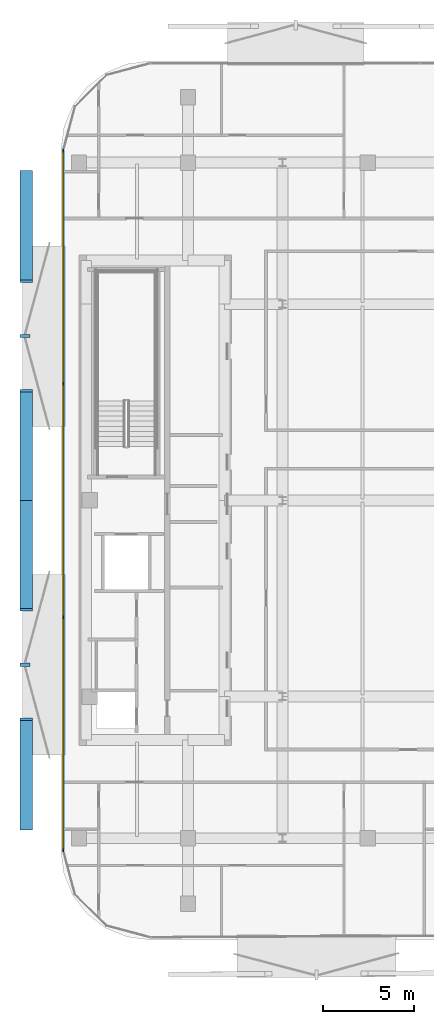
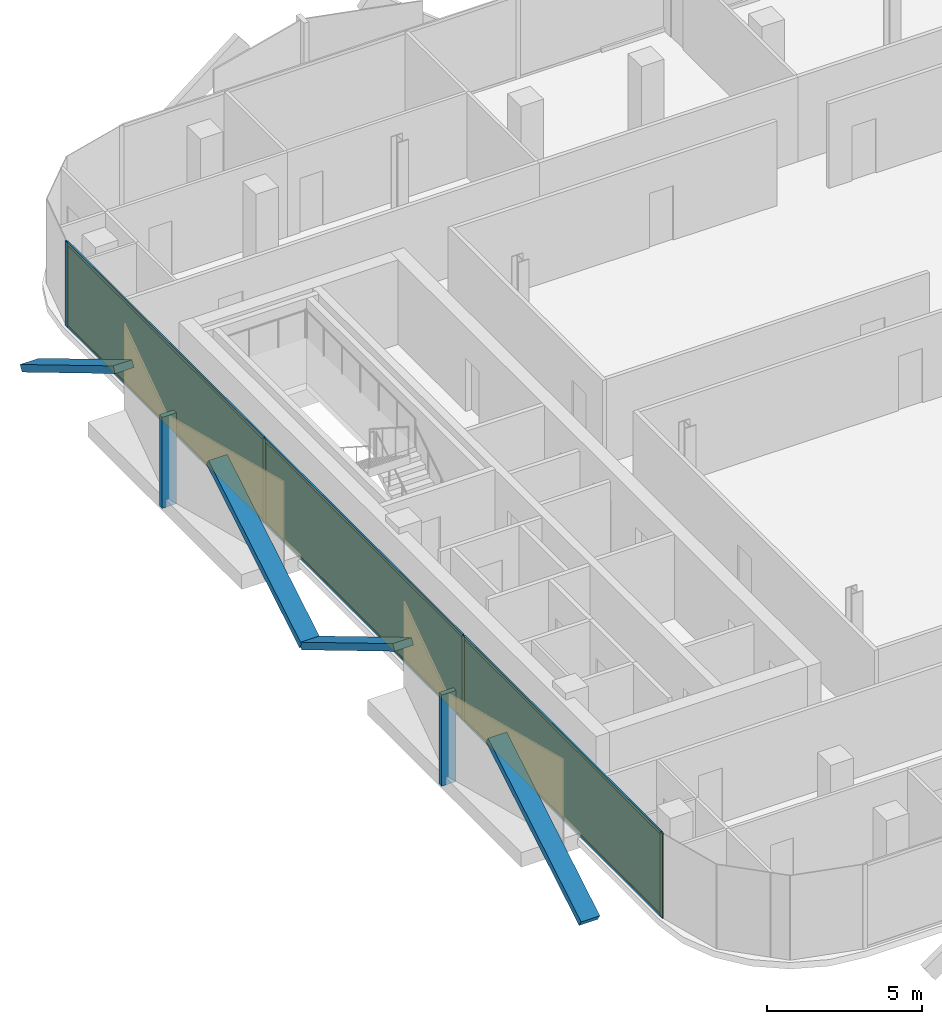
# One storey, part 8 of 15: 16 members, 3 plates, 1 curtain wall.
"""IFC4 building model written with IfcOpenShell, lengths in metres."""

from ifc_helpers import new_model, si_unit, direction, frame, frame_2d, origin, origin_2d, place, context, subcontext, project, spatial, rectangle, extrude, material, layer, layer_set, material_profile, profile_set, type_object, element, aggregate, save


model = new_model("IFC4")

# Units and contexts
model_context = context("Model", 3, precision=1e-05, world=origin(), true_north=direction((0.0, 1.0)))
body_context = subcontext(model_context, "Body", "Model", "MODEL_VIEW")
ifc_project = project(units=[si_unit("LENGTHUNIT", "METRE"), si_unit("AREAUNIT", "SQUARE_METRE"), si_unit("VOLUMEUNIT", "CUBIC_METRE"), si_unit("PLANEANGLEUNIT", "RADIAN"), si_unit("MASSUNIT", "GRAM", prefix="KILO")], contexts=[model_context])

# Member
ifc_material_1 = material(Name="Anodised Bronze Aluminium 6063-T6", Category="aluminium")
ifc_material_profile_1 = material_profile(ifc_material_1, rectangle(XDim=0.260009765625, YDim=0.699951171875, at=origin_2d()))
ifc_profile_set_1 = profile_set([ifc_material_profile_1], Name="Anodised Bronze Aluminium 6063-T6")
member_type_1 = type_object("IfcMemberType", Name="Bronze Diamond Solar-Screen Lattice Rib BDL-700", PredefinedType="MULLION", material=ifc_profile_set_1)
site_placement = place(None, origin())
building_placement = place(site_placement, origin())
storey_placement = place(building_placement, frame((0.0, 0.0, 265.60009765625)))
member_1_placement = place(storey_placement, frame((-23.300048828125, -18.0908203125, -0.130126953125), z_axis=(0.0, 0.858625722363, 0.512603032468), x_axis=(0.0, -0.512603032468, 0.858625722363)))
member_1 = element("IfcMember", 1, at=member_1_placement, type_object=member_type_1, Name="L63 Bronze Diamond Solar Screen Lattice Rib 435A", PredefinedType="MULLION", context=body_context, shape_type="SweptSolid", body=[
    extrude(rectangle(XDim=0.260009765625, YDim=0.699951171875, at=origin_2d()), origin(), (0.0, 0.0, 1.0), 7.023193359375),
])

member_2_placement = place(storey_placement, frame((-23.300048828125, 0.0, -0.130126953125), z_axis=(0.0, -0.858625722363, 0.512603032468), x_axis=(0.0, 0.512603032468, 0.858625722363)))
member_2 = element("IfcMember", 2, at=member_2_placement, type_object=member_type_1, Name="L63 Bronze Diamond Solar Screen Lattice Rib 435B", PredefinedType="MULLION", context=body_context, shape_type="SweptSolid", body=[
    extrude(rectangle(XDim=0.260009765625, YDim=0.699951171875, at=origin_2d()), origin(), (0.0, 0.0, 1.0), 7.023193359375),
])

member_3_placement = place(storey_placement, frame((-23.300048828125, 0.0, -0.130126953125), z_axis=(0.0, 0.858625722363, 0.512603032468), x_axis=(0.0, -0.512603032468, 0.858625722363)))
member_3 = element("IfcMember", 3, at=member_3_placement, type_object=member_type_1, Name="L63 Bronze Diamond Solar Screen Lattice Rib 436A", PredefinedType="MULLION", context=body_context, shape_type="SweptSolid", body=[
    extrude(rectangle(XDim=0.260009765625, YDim=0.699951171875, at=origin_2d()), origin(), (0.0, 0.0, 1.0), 7.023193359375),
])

member_4_placement = place(storey_placement, frame((-23.300048828125, 18.0908203125, -0.130126953125), z_axis=(0.0, -0.858625722363, 0.512603032468), x_axis=(0.0, 0.512603032468, 0.858625722363)))
member_4 = element("IfcMember", 4, at=member_4_placement, type_object=member_type_1, Name="L63 Bronze Diamond Solar Screen Lattice Rib 436B", PredefinedType="MULLION", context=body_context, shape_type="SweptSolid", body=[
    extrude(rectangle(XDim=0.260009765625, YDim=0.699951171875, at=origin_2d()), origin(), (0.0, 0.0, 1.0), 7.023193359375),
])

ifc_material_2 = material(Name="Anodised Bronze Aluminium 6063-T6", Category="aluminium")
ifc_material_profile_2 = material_profile(ifc_material_2, rectangle(XDim=0.179931640625, YDim=0.5400390625, at=origin_2d()))
ifc_profile_set_2 = profile_set([ifc_material_profile_2], Name="Anodised Bronze Aluminium 6063-T6")
member_type_2 = type_object("IfcMemberType", Name="Bronze Solar-Screen Vertical Fold Fin BSF-540", PredefinedType="MULLION", material=ifc_profile_set_2)
member_5_placement = place(storey_placement, frame((-23.3798828125, -9.04541015625, -0.130126953125), z_axis=(0.0, 0.0, 1.0), x_axis=(0.0, 1.0, 0.0)))
member_5 = element("IfcMember", 5, at=member_5_placement, type_object=member_type_2, Name="L63 Bronze Solar Screen Vertical Fin 435", PredefinedType="MULLION", context=body_context, shape_type="SweptSolid", body=[
    extrude(rectangle(XDim=0.179931640625, YDim=0.5400390625, at=origin_2d()), origin(), (0.0, 0.0, 1.0), 3.60009765625),
])

member_6_placement = place(storey_placement, frame((-23.3798828125, 9.04541015625, -0.130126953125), z_axis=(0.0, 0.0, 1.0), x_axis=(0.0, 1.0, 0.0)))
member_6 = element("IfcMember", 6, at=member_6_placement, type_object=member_type_2, Name="L63 Bronze Solar Screen Vertical Fin 436", PredefinedType="MULLION", context=body_context, shape_type="SweptSolid", body=[
    extrude(rectangle(XDim=0.179931640625, YDim=0.5400390625, at=origin_2d()), origin(), (0.0, 0.0, 1.0), 3.60009765625),
])

ifc_material_3 = material(Name="Anodised Bronze Aluminium 6063-T6", Category="aluminium")
ifc_material_profile_3 = material_profile(ifc_material_3, rectangle(XDim=0.06005859375, YDim=0.159912109375, at=origin_2d()))
ifc_profile_set_3 = profile_set([ifc_material_profile_3], Name="Anodised Bronze Aluminium 6063-T6")
member_type_3 = type_object("IfcMemberType", Name="CW-Z4 Mullion 60x160", PredefinedType="MULLION", material=ifc_profile_set_3)
member_7_placement = place(storey_placement, frame((-21.260009765625, -19.2607421875, 0.0), z_axis=(0.0, 0.0, 1.0), x_axis=(-1.0, 0.0, 0.0)))
member_7 = element("IfcMember", 7, at=member_7_placement, type_object=member_type_3, Name="CW-Z4 mullion 1", PredefinedType="MULLION", context=body_context, shape_type="SweptSolid", body=[
    extrude(rectangle(XDim=0.06005859375, YDim=0.159912109375, at=origin_2d()), origin(), (0.0, 0.0, 1.0), 3.33984375),
])

member_8_placement = place(storey_placement, frame((-21.260009765625, -6.43017578125, 0.0), z_axis=(0.0, 0.0, 1.0), x_axis=(-1.0, 0.0, 0.0)))
member_8 = element("IfcMember", 8, at=member_8_placement, type_object=member_type_3, Name="CW-Z4 mullion 2", PredefinedType="MULLION", context=body_context, shape_type="SweptSolid", body=[
    extrude(rectangle(XDim=0.06005859375, YDim=0.159912109375, at=origin_2d()), origin(), (0.0, 0.0, 1.0), 3.33984375),
])

member_9_placement = place(storey_placement, frame((-21.260009765625, 6.43017578125, 0.0), z_axis=(0.0, 0.0, 1.0), x_axis=(-1.0, 0.0, 0.0)))
member_9 = element("IfcMember", 9, at=member_9_placement, type_object=member_type_3, Name="CW-Z4 mullion 3", PredefinedType="MULLION", context=body_context, shape_type="SweptSolid", body=[
    extrude(rectangle(XDim=0.06005859375, YDim=0.159912109375, at=origin_2d()), origin(), (0.0, 0.0, 1.0), 3.33984375),
])

member_10_placement = place(storey_placement, frame((-21.260009765625, 19.2607421875, 0.0), z_axis=(0.0, 0.0, 1.0), x_axis=(-1.0, 0.0, 0.0)))
member_10 = element("IfcMember", 10, at=member_10_placement, type_object=member_type_3, Name="CW-Z4 mullion 4", PredefinedType="MULLION", context=body_context, shape_type="SweptSolid", body=[
    extrude(rectangle(XDim=0.06005859375, YDim=0.159912109375, at=origin_2d()), origin(), (0.0, 0.0, 1.0), 3.33984375),
])

ifc_material_4 = material(Name="Anodised Bronze Aluminium 6063-T6", Category="aluminium")
ifc_material_profile_4 = material_profile(ifc_material_4, rectangle(XDim=0.06005859375, YDim=0.125, at=origin_2d()))
ifc_profile_set_4 = profile_set([ifc_material_profile_4], Name="Anodised Bronze Aluminium 6063-T6")
member_type_4 = type_object("IfcMemberType", Name="CW-Z4 Transom 60x125", PredefinedType="USERDEFINED", material=ifc_profile_set_4)
member_11_placement = place(storey_placement, frame((-21.260009765625, -19.230712890625, 0.02978515625), z_axis=(0.0, 1.0, 0.0), x_axis=(-1.0, 0.0, 0.0)))
member_11 = element("IfcMember", 11, at=member_11_placement, type_object=member_type_4, Name="CW-Z4 transom 1.1", ObjectType="TRANSOM", PredefinedType="USERDEFINED", context=body_context, shape_type="SweptSolid", body=[
    extrude(rectangle(XDim=0.06005859375, YDim=0.125, at=origin_2d()), origin(), (0.0, 0.0, 1.0), 12.7705078125),
])

member_12_placement = place(storey_placement, frame((-21.260009765625, -19.230712890625, 3.309814453125), z_axis=(0.0, 1.0, 0.0), x_axis=(-1.0, 0.0, 0.0)))
member_12 = element("IfcMember", 12, at=member_12_placement, type_object=member_type_4, Name="CW-Z4 transom 1.2", ObjectType="TRANSOM", PredefinedType="USERDEFINED", context=body_context, shape_type="SweptSolid", body=[
    extrude(rectangle(XDim=0.06005859375, YDim=0.125, at=origin_2d()), origin(), (0.0, 0.0, 1.0), 12.7705078125),
])

member_13_placement = place(storey_placement, frame((-21.260009765625, -6.400146484375, 0.02978515625), z_axis=(0.0, 1.0, 0.0), x_axis=(-1.0, 0.0, 0.0)))
member_13 = element("IfcMember", 13, at=member_13_placement, type_object=member_type_4, Name="CW-Z4 transom 2.1", ObjectType="TRANSOM", PredefinedType="USERDEFINED", context=body_context, shape_type="SweptSolid", body=[
    extrude(rectangle(XDim=0.06005859375, YDim=0.125, at=origin_2d()), origin(), (0.0, 0.0, 1.0), 12.80029296875),
])

member_14_placement = place(storey_placement, frame((-21.260009765625, -6.400146484375, 3.309814453125), z_axis=(0.0, 1.0, 0.0), x_axis=(-1.0, 0.0, 0.0)))
member_14 = element("IfcMember", 14, at=member_14_placement, type_object=member_type_4, Name="CW-Z4 transom 2.2", ObjectType="TRANSOM", PredefinedType="USERDEFINED", context=body_context, shape_type="SweptSolid", body=[
    extrude(rectangle(XDim=0.06005859375, YDim=0.125, at=origin_2d()), origin(), (0.0, 0.0, 1.0), 12.80029296875),
])

member_15_placement = place(storey_placement, frame((-21.260009765625, 6.460205078125, 0.02978515625), z_axis=(0.0, 1.0, 0.0), x_axis=(-1.0, 0.0, 0.0)))
member_15 = element("IfcMember", 15, at=member_15_placement, type_object=member_type_4, Name="CW-Z4 transom 3.1", ObjectType="TRANSOM", PredefinedType="USERDEFINED", context=body_context, shape_type="SweptSolid", body=[
    extrude(rectangle(XDim=0.06005859375, YDim=0.125, at=origin_2d()), origin(), (0.0, 0.0, 1.0), 12.7705078125),
])

member_16_placement = place(storey_placement, frame((-21.260009765625, 6.460205078125, 3.309814453125), z_axis=(0.0, 1.0, 0.0), x_axis=(-1.0, 0.0, 0.0)))
member_16 = element("IfcMember", 16, at=member_16_placement, type_object=member_type_4, Name="CW-Z4 transom 3.2", ObjectType="TRANSOM", PredefinedType="USERDEFINED", context=body_context, shape_type="SweptSolid", body=[
    extrude(rectangle(XDim=0.06005859375, YDim=0.125, at=origin_2d()), origin(), (0.0, 0.0, 1.0), 12.7705078125),
])

# Plate
ifc_material_5 = material(Name="Low-E Solar Control Laminated Glass", Category="glass")
ifc_layer_1 = layer(ifc_material_5, 0.030029296875, Name="Low-E Solar Control Laminated Glass")
ifc_layer_set_1 = layer_set([ifc_layer_1], Name="Low-E Solar Control Laminated Glass")
plate_type = type_object("IfcPlateType", Name="CW-Z4 Low-E Double Glazed Panel 30mm", PredefinedType="CURTAIN_PANEL", material=ifc_layer_set_1)
plate_1_placement = place(storey_placement, frame((-21.260009765625, -12.845458984375, 0.06005859375), z_axis=(0.0, 0.0, 1.0), x_axis=(0.0, 1.0, 0.0)))
plate_1 = element("IfcPlate", 17, at=plate_1_placement, type_object=plate_type, Name="CW-Z4 panel 1.1", PredefinedType="CURTAIN_PANEL", context=body_context, shape_type="SweptSolid", body=[
    extrude(rectangle(XDim=12.7705078125, YDim=0.030029296875, at=origin_2d()), origin(), (0.0, 0.0, 1.0), 3.219970703125),
])

plate_2_placement = place(storey_placement, frame((-21.260009765625, 0.0, 0.06005859375), z_axis=(0.0, 0.0, 1.0), x_axis=(0.0, 1.0, 0.0)))
plate_2 = element("IfcPlate", 18, at=plate_2_placement, type_object=plate_type, Name="CW-Z4 panel 2.1", PredefinedType="CURTAIN_PANEL", context=body_context, shape_type="SweptSolid", body=[
    extrude(rectangle(XDim=12.800537109375, YDim=0.030029296875, at=origin_2d()), origin(), (0.0, 0.0, 1.0), 3.219970703125),
])

plate_3_placement = place(storey_placement, frame((-21.260009765625, 12.845458984375, 0.06005859375), z_axis=(0.0, 0.0, 1.0), x_axis=(0.0, 1.0, 0.0)))
plate_3 = element("IfcPlate", 19, at=plate_3_placement, type_object=plate_type, Name="CW-Z4 panel 3.1", PredefinedType="CURTAIN_PANEL", context=body_context, shape_type="SweptSolid", body=[
    extrude(rectangle(XDim=12.7705078125, YDim=0.030029296875, at=origin_2d()), origin(), (0.0, 0.0, 1.0), 3.219970703125),
])

# Site, building, storey
site = spatial("IfcSite", under=ifc_project, at=site_placement, CompositionType="ELEMENT")
building = spatial("IfcBuilding", under=site, at=building_placement, Name="Khairoan Windgate Tower", CompositionType="ELEMENT")
storey = spatial("IfcBuildingStorey", under=building, at=storey_placement, Name="L63", CompositionType="ELEMENT", Elevation=265.60009765625)

# Curtain wall
ifc_material_6 = material(Name="Anodised Bronze Aluminium 6063-T6", Category="aluminium")
ifc_layer_2 = layer(ifc_material_6, 0.159912109375, Name="Anodised Bronze Aluminium 6063-T6")
ifc_layer_set_2 = layer_set([ifc_layer_2], Name="Anodised Bronze Aluminium 6063-T6")
curtain_wall_type = type_object("IfcCurtainWallType", Name="Sky Residence Unitised Curtain Wall CW-Z4", PredefinedType="NOTDEFINED", material=ifc_layer_set_2)
curtain_wall_placement = place(storey_placement, frame((-21.260009765625, -19.290771484375, 0.0), z_axis=(0.0, 0.0, 1.0), x_axis=(0.0, 1.0, 0.0)))
curtain_wall = element("IfcCurtainWall", 20, at=curtain_wall_placement, inside=storey, type_object=curtain_wall_type, Name="L63 Unitised Curtain Wall 5", PredefinedType="NOTDEFINED", context=body_context, shape_type="SweptSolid", body=[
    extrude(rectangle(XDim=38.58154296875, YDim=0.010009765625, at=frame_2d((19.290771484375, 0.0))), origin(), (0.0, 0.0, 1.0), 3.33984375),
])

aggregate(curtain_wall, [member_7, member_8, member_9, member_10, member_11, member_12, plate_1, member_13, member_14, plate_2, member_15, member_16, plate_3, member_1, member_2, member_5, member_3, member_4, member_6])

save(model, "model.ifc")
